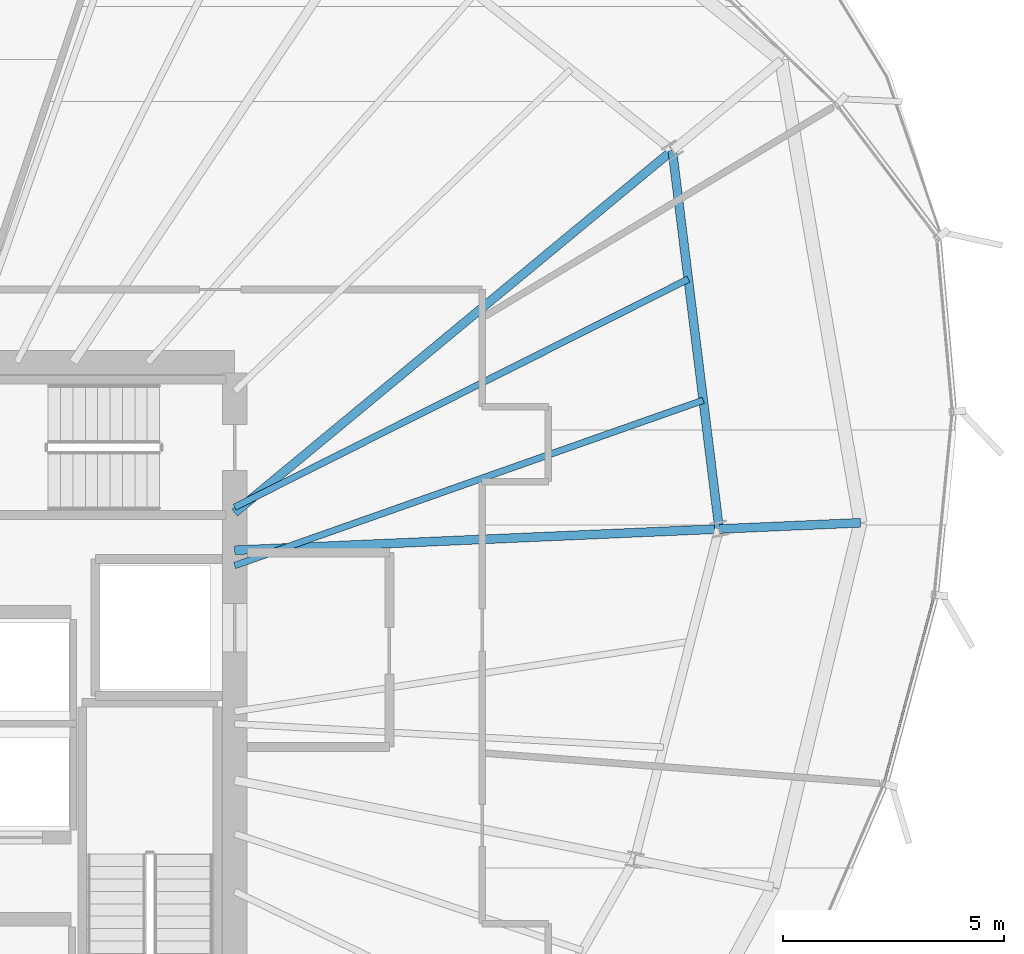
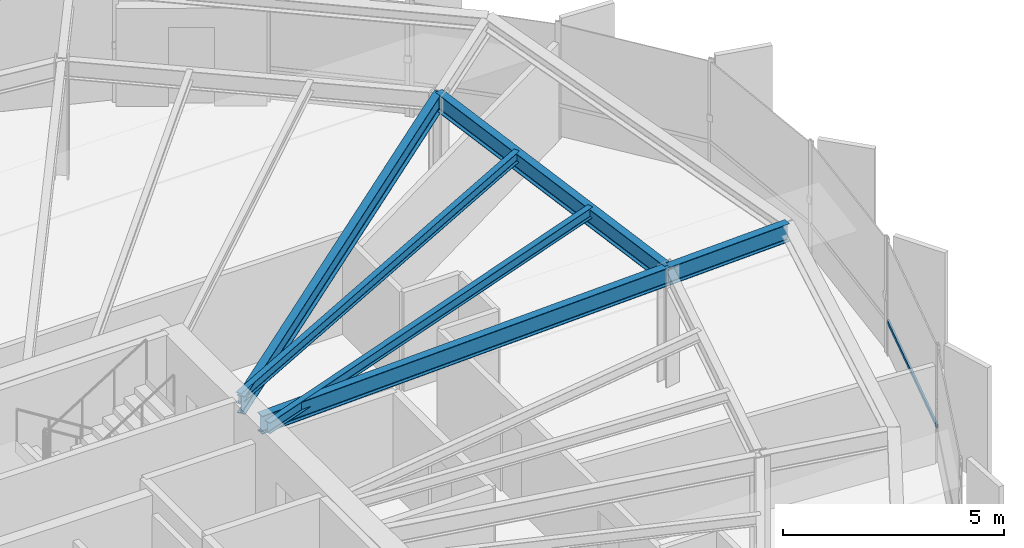
# One storey, part 18 of 34: 6 beams, 1 member, 1 element without a shape of its own.
"""IFC4 building model written with IfcOpenShell, lengths in metres."""

from ifc_helpers import new_model, si_unit, direction, frame, origin, origin_2d, place, context, subcontext, project, spatial, hollow_rectangle, i_section, extrude, source, transform, mapped, material, layer, layer_set, material_profile, profile_set, type_object, element, aggregate, save


model = new_model("IFC4")

# Units and contexts
model_context = context("Model", 3, precision=1e-05, world=origin(), true_north=direction((0.0, 1.0)))
body_context = subcontext(model_context, "Body", "Model", "MODEL_VIEW")
ifc_project = project(units=[si_unit("LENGTHUNIT", "METRE"), si_unit("AREAUNIT", "SQUARE_METRE"), si_unit("VOLUMEUNIT", "CUBIC_METRE"), si_unit("PLANEANGLEUNIT", "RADIAN"), si_unit("MASSUNIT", "GRAM", prefix="KILO"), si_unit("THERMODYNAMICTEMPERATUREUNIT", "KELVIN")], contexts=[model_context])

# Site, building, storey
site_placement = place(None, origin())
site = spatial("IfcSite", under=ifc_project, at=site_placement, CompositionType="ELEMENT")
building_placement = place(site_placement, origin())
building = spatial("IfcBuilding", under=site, at=building_placement, Name="Kethvar Cultural Tower", CompositionType="ELEMENT")
storey_placement = place(building_placement, frame((0.0, 0.0, 190.39990234375)))
storey = spatial("IfcBuildingStorey", under=building, at=storey_placement, Name="L49", CompositionType="ELEMENT", Elevation=190.39990234375)

# Beams
ifc_material_1 = material(Name="Steel S355J2", Category="steel")
ifc_material_profile_1 = material_profile(ifc_material_1, i_section(OverallWidth=0.199951171875, OverallDepth=0.5, WebThickness=0.01025390625, FlangeThickness=0.01611328125, FilletRadius=0.02099609375, at=origin_2d()), Name="Steel S355J2 — IPE500")
ifc_profile_set_1 = profile_set([ifc_material_profile_1], Name="Steel S355J2 — IPE500")
beam_type_1 = type_object("IfcBeamType", Name="BM-IPE500", PredefinedType="BEAM", material=ifc_profile_set_1)
shared_shape_1 = source(origin(), body_context, "Body", "SweptSolid", [
    extrude(i_section(OverallWidth=0.199951171875, OverallDepth=0.5, WebThickness=0.01025390625, FlangeThickness=0.01611328125, FilletRadius=0.02099609375, at=origin_2d()), origin(), (0.0, 0.0, 1.0), 10.974365234375),
])
beam_1_placement = place(storey_placement, frame((55.60009765625, 31.25, 3.008056640625), z_axis=(0.999038235064, 0.043847518511, 0.0), x_axis=(-0.043847518511, 0.999038235064, 0.0)))
element("IfcBeam", 1, at=beam_1_placement, inside=storey, type_object=beam_type_1, Name="L49 Primary Radial Beam RB-01", PredefinedType="BEAM", context=body_context, shape_type="MappedRepresentation", body=[
    mapped(shared_shape_1, transform((0.0, 0.0, 0.0), scale=1.0)),
])
shared_shape_2 = source(origin(), body_context, "Body", "SweptSolid", [
    extrude(i_section(OverallWidth=0.199951171875, OverallDepth=0.5, WebThickness=0.01025390625, FlangeThickness=0.01611328125, FilletRadius=0.02099609375, at=origin_2d()), origin(), (0.0, 0.0, 1.0), 3.2001953125),
])
beam_2_placement = place(storey_placement, frame((66.56396484375, 31.731201171875, 3.008056640625), z_axis=(0.999037352633, 0.043867619531, 0.0), x_axis=(-0.043867619531, 0.999037352633, 0.0)))
element("IfcBeam", 2, at=beam_2_placement, inside=storey, type_object=beam_type_1, Name="L49 Perimeter Cantilever Beam RC-01", PredefinedType="BEAM", context=body_context, shape_type="MappedRepresentation", body=[
    mapped(shared_shape_2, transform((0.0, 0.0, 0.0), scale=1.0)),
])
shared_shape_3 = source(origin(), body_context, "Body", "SweptSolid", [
    extrude(i_section(OverallWidth=0.199951171875, OverallDepth=0.5, WebThickness=0.01025390625, FlangeThickness=0.01611328125, FilletRadius=0.02099609375, at=origin_2d()), origin(), (0.0, 0.0, 1.0), 12.8564453125),
])
beam_3_placement = place(storey_placement, frame((55.60009765625, 32.10009765625, 3.008056640625), z_axis=(0.770354115625, 0.637616292561, 0.0), x_axis=(-0.637616292561, 0.770354115625, 0.0)))
element("IfcBeam", 3, at=beam_3_placement, inside=storey, type_object=beam_type_1, Name="L49 Primary Radial Beam RB-02", PredefinedType="BEAM", context=body_context, shape_type="MappedRepresentation", body=[
    mapped(shared_shape_3, transform((0.0, 0.0, 0.0), scale=1.0)),
])
shared_shape_4 = source(origin(), body_context, "Body", "SweptSolid", [
    extrude(i_section(OverallWidth=0.199951171875, OverallDepth=0.5, WebThickness=0.01025390625, FlangeThickness=0.01611328125, FilletRadius=0.02099609375, at=origin_2d()), origin(), (0.0, 0.0, 1.0), 8.6318359375),
])
beam_4_placement = place(storey_placement, frame((66.56396484375, 31.731201171875, 3.008056640625), z_axis=(-0.122781430908, 0.992433735936, 0.0), x_axis=(-0.992433735936, -0.122781430908, 0.0)))
element("IfcBeam", 4, at=beam_4_placement, inside=storey, type_object=beam_type_1, Name="L49 Column Ring Tie Beam CR-01", PredefinedType="BEAM", context=body_context, shape_type="MappedRepresentation", body=[
    mapped(shared_shape_4, transform((0.0, 0.0, 0.0), scale=1.0)),
])
ifc_material_profile_2 = material_profile(ifc_material_1, i_section(OverallWidth=0.14990234375, OverallDepth=0.300048828125, WebThickness=0.007080078125, FlangeThickness=0.0107421875, FilletRadius=0.014892578125, at=origin_2d()), Name="Steel S355J2 — IPE300")
ifc_profile_set_2 = profile_set([ifc_material_profile_2], Name="Steel S355J2 — IPE300")
beam_type_2 = type_object("IfcBeamType", Name="BM-J300", PredefinedType="JOIST", material=ifc_profile_set_2)
shared_shape_5 = source(origin(), body_context, "Body", "SweptSolid", [
    extrude(i_section(OverallWidth=0.14990234375, OverallDepth=0.300048828125, WebThickness=0.007080078125, FlangeThickness=0.0107421875, FilletRadius=0.014892578125, at=origin_2d()), origin(), (0.0, 0.0, 1.0), 11.24365234375),
])
beam_5_placement = place(storey_placement, frame((55.60009765625, 30.90380859375, 3.108154296875), z_axis=(0.943058059975, 0.332628164044, 0.0), x_axis=(-0.332628164044, 0.943058059975, 0.0)))
element("IfcBeam", 5, at=beam_5_placement, inside=storey, type_object=beam_type_2, Name="L49 Composite Floor Joist J-01A", PredefinedType="JOIST", context=body_context, shape_type="MappedRepresentation", body=[
    mapped(shared_shape_5, transform((0.0, 0.0, 0.0), scale=1.0)),
])
shared_shape_6 = source(origin(), body_context, "Body", "SweptSolid", [
    extrude(i_section(OverallWidth=0.14990234375, OverallDepth=0.300048828125, WebThickness=0.007080078125, FlangeThickness=0.0107421875, FilletRadius=0.014892578125, at=origin_2d()), origin(), (0.0, 0.0, 1.0), 11.48876953125),
])
beam_6_placement = place(storey_placement, frame((55.60009765625, 32.224365234375, 3.108154296875), z_axis=(0.893434724969, 0.449193045605, 0.0), x_axis=(-0.449193045605, 0.893434724969, 0.0)))
element("IfcBeam", 6, at=beam_6_placement, inside=storey, type_object=beam_type_2, Name="L49 Composite Floor Joist J-01B", PredefinedType="JOIST", context=body_context, shape_type="MappedRepresentation", body=[
    mapped(shared_shape_6, transform((0.0, 0.0, 0.0), scale=1.0)),
])

# Curtain wall, member
ifc_material_2 = material(Name="Aluminium 6063-T6", Category="aluminium")
ifc_layer = layer(ifc_material_2, 0.179931640625, Name="Aluminium 6063-T6", Category="aluminium")
ifc_layer_set = layer_set([ifc_layer], Name="Aluminium 6063-T6 (180 mm)")
curtain_wall_type = type_object("IfcCurtainWallType", Name="CW-SYS-04-Z34", PredefinedType="NOTDEFINED", material=ifc_layer_set)
curtain_wall_placement = place(storey_placement, origin())
curtain_wall = element("IfcCurtainWall", 7, at=curtain_wall_placement, inside=storey, type_object=curtain_wall_type, Name="L49 Curtain Wall Run 06", PredefinedType="NOTDEFINED")
ifc_material_profile_3 = material_profile(ifc_material_2, hollow_rectangle(XDim=0.050048828125, YDim=0.10009765625, WallThickness=0.00390625, at=origin_2d()), Name="Aluminium 6063-T6 — RHS100x50x4")
ifc_profile_set_3 = profile_set([ifc_material_profile_3], Name="Aluminium 6063-T6 — RHS100x50x4")
member_type = type_object("IfcMemberType", Name="CW-SYS-04-Z34-TRN", PredefinedType="USERDEFINED", material=ifc_profile_set_3)
shared_shape_7 = source(origin(), body_context, "Body", "SweptSolid", [
    extrude(hollow_rectangle(XDim=0.050048828125, YDim=0.10009765625, WallThickness=0.00390625, at=origin_2d()), origin(), (0.0, 0.0, 1.0), 4.315185546875),
])
member_placement = place(storey_placement, frame((70.302734375, 26.008056640625, 0.9501953125), z_axis=(0.258278852979, 0.966070408461, 0.0), x_axis=(-0.966070408461, 0.258278852979, 0.0)))
member = element("IfcMember", 8, at=member_placement, type_object=member_type, Name="CW-L49-R06 Transom 6", ObjectType="TRANSOM", PredefinedType="USERDEFINED", context=body_context, shape_type="MappedRepresentation", body=[
    mapped(shared_shape_7, transform((0.0, 0.0, 0.0), scale=1.0)),
])
aggregate(curtain_wall, [member])

save(model, "model.ifc")
